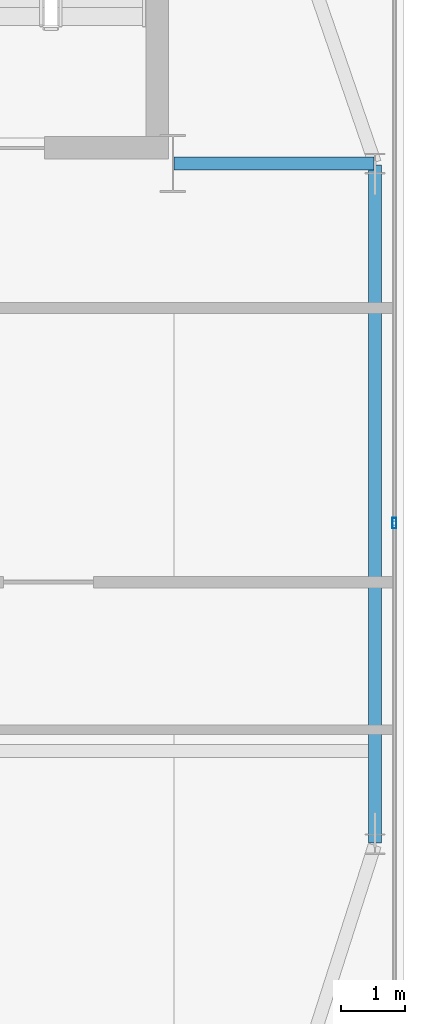
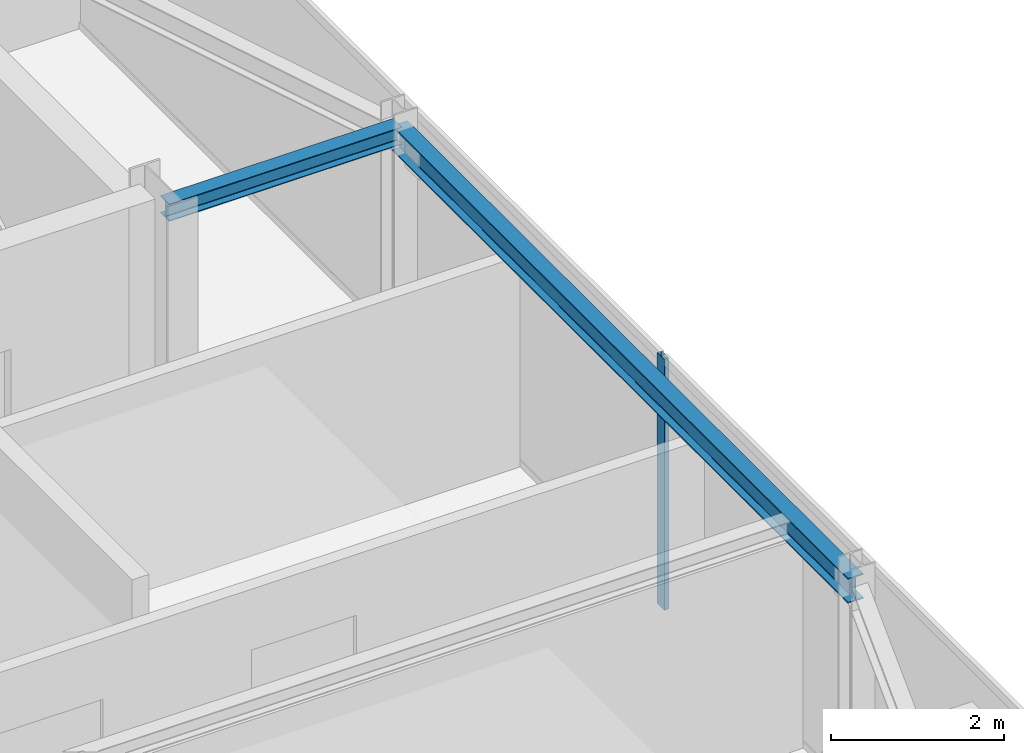
# One storey, part 16 of 24: 2 beams, 1 member, 1 element without a shape of its own.
"""IFC4 building model written with IfcOpenShell, lengths in metres."""

from ifc_helpers import new_model, si_unit, direction, frame, origin, origin_2d, place, context, subcontext, project, spatial, hollow_rectangle, i_section, extrude, source, transform, mapped, material, layer, layer_set, material_profile, profile_set, type_object, type_shapes, element, aggregate, save


model = new_model("IFC4")

# Units and contexts
model_context = context("Model", 3, precision=1e-05, world=origin(), true_north=direction((0.0, 1.0)))
body_context = subcontext(model_context, "Body", "Model", "MODEL_VIEW")
ifc_project = project(units=[si_unit("LENGTHUNIT", "METRE"), si_unit("AREAUNIT", "SQUARE_METRE"), si_unit("VOLUMEUNIT", "CUBIC_METRE"), si_unit("PLANEANGLEUNIT", "RADIAN"), si_unit("MASSUNIT", "GRAM", prefix="KILO")], contexts=[model_context])

# Site, building, storey
site_placement = place(None, origin())
site = spatial("IfcSite", under=ifc_project, at=site_placement, CompositionType="ELEMENT")
building_placement = place(site_placement, origin())
building = spatial("IfcBuilding", under=site, at=building_placement, Name="Varnel Quay Broadcast Tower", CompositionType="ELEMENT")
storey_placement = place(building_placement, frame((0.0, 0.0, 269.800048828125)))
storey = spatial("IfcBuildingStorey", under=building, at=storey_placement, Name="L67", CompositionType="ELEMENT", Elevation=269.800048828125)

# Beams
ifc_material_1 = material(Name="Structural Steel CSA G40.21 350W", Category="steel")
ifc_material_profile_1 = material_profile(ifc_material_1, i_section(OverallWidth=0.205078125, OverallDepth=0.35400390625, WebThickness=0.009521484375, FlangeThickness=0.016845703125, FilletRadius=0.012939453125, at=origin_2d()), Name="W360X79")
ifc_profile_set_1 = profile_set([ifc_material_profile_1], Name="Structural Steel CSA G40.21 350W")
beam_type_1 = type_object("IfcBeamType", Name="Beam_W360X79", PredefinedType="SPANDREL", material=ifc_profile_set_1)
shared_shape_1 = source(origin(), body_context, "Body", "SweptSolid", [
    extrude(i_section(OverallWidth=0.205078125, OverallDepth=0.35400390625, WebThickness=0.009521484375, FlangeThickness=0.016845703125, FilletRadius=0.012939453125, at=origin_2d()), origin(), (0.0, 0.0, 1.0), 10.56005859375),
])
type_shapes(beam_type_1, [shared_shape_1])
beam_1_placement = place(storey_placement, frame((55.550048828125, 25.02001953125, 3.373046875), z_axis=(0.0, 1.0, 0.0), x_axis=(-1.0, 0.0, 0.0)))
element("IfcBeam", 1, at=beam_1_placement, inside=storey, type_object=beam_type_1, Name="L67 East Spandrel TC-E1-TC-E2", PredefinedType="SPANDREL", context=body_context, shape_type="MappedRepresentation", body=[
    mapped(shared_shape_1, transform((0.0, 0.0, 0.0), x_axis=(1.0, 0.0, 0.0), y_axis=(0.0, 1.0, 0.0), z_axis=(0.0, 0.0, 1.0), scale=1.0)),
])
ifc_material_profile_2 = material_profile(ifc_material_1, i_section(OverallWidth=0.201904296875, OverallDepth=0.2470703125, WebThickness=0.00732421875, FlangeThickness=0.010986328125, FilletRadius=0.010986328125, at=origin_2d()), Name="W250X49")
ifc_profile_set_2 = profile_set([ifc_material_profile_2], Name="Structural Steel CSA G40.21 350W")
beam_type_2 = type_object("IfcBeamType", Name="Beam_W250X49", PredefinedType="JOIST", material=ifc_profile_set_2)
shared_shape_2 = source(origin(), body_context, "Body", "SweptSolid", [
    extrude(i_section(OverallWidth=0.201904296875, OverallDepth=0.2470703125, WebThickness=0.00732421875, FlangeThickness=0.010986328125, FilletRadius=0.010986328125, at=origin_2d()), origin(), (0.0, 0.0, 1.0), 3.110107421875),
])
type_shapes(beam_type_2, [shared_shape_2])
beam_2_placement = place(storey_placement, frame((52.419921875, 35.60009765625, 3.426513671875), z_axis=(1.0, 0.0, 0.0), x_axis=(0.0, 1.0, 0.0)))
element("IfcBeam", 2, at=beam_2_placement, inside=storey, type_object=beam_type_2, Name="L67 East Core Tie Joist", PredefinedType="JOIST", context=body_context, shape_type="MappedRepresentation", body=[
    mapped(shared_shape_2, transform((0.0, 0.0, 0.0), x_axis=(1.0, 0.0, 0.0), y_axis=(0.0, 1.0, 0.0), z_axis=(0.0, 0.0, 1.0), scale=1.0)),
])

# Curtain wall, member
ifc_material_2 = material(Name="Anodised Bronze Aluminium 6063-T6", Category="aluminium")
ifc_layer = layer(ifc_material_2, 0.18994140625, Name="Anodised Bronze Aluminium 6063-T6")
ifc_layer_set = layer_set([ifc_layer], Name="Anodised Bronze Aluminium 6063-T6")
curtain_wall_type = type_object("IfcCurtainWallType", Name="CW_UpperTower", PredefinedType="NOTDEFINED", material=ifc_layer_set)
curtain_wall_placement = place(storey_placement, origin())
curtain_wall = element("IfcCurtainWall", 3, at=curtain_wall_placement, inside=storey, type_object=curtain_wall_type, Name="L67 East Unitised Curtain Wall", PredefinedType="NOTDEFINED")
ifc_material_profile_3 = material_profile(ifc_material_2, hollow_rectangle(XDim=0.06494140625, YDim=0.1650390625, WallThickness=0.00341796875, at=origin_2d()), Name="ALU65X165X3.5")
ifc_profile_set_3 = profile_set([ifc_material_profile_3], Name="Anodised Bronze Aluminium 6063-T6")
member_type = type_object("IfcMemberType", Name="Mull_CWS-03", PredefinedType="MULLION", material=ifc_profile_set_3)
shared_shape_3 = source(origin(), body_context, "Body", "SweptSolid", [
    extrude(hollow_rectangle(XDim=0.06494140625, YDim=0.1650390625, WallThickness=0.00341796875, at=origin_2d()), origin(), (0.0, 0.0, 1.0), 3.550048828125),
])
type_shapes(member_type, [shared_shape_3])
member_placement = place(storey_placement, frame((55.85009765625, 30.0, 0.0), z_axis=(0.0, 0.0, 1.0), x_axis=(-1.0, 0.0, 0.0)))
member = element("IfcMember", 4, at=member_placement, type_object=member_type, Name="CWS-03 mullion 2", PredefinedType="MULLION", context=body_context, shape_type="MappedRepresentation", body=[
    mapped(shared_shape_3, transform((0.0, 0.0, 0.0), x_axis=(1.0, 0.0, 0.0), y_axis=(0.0, 1.0, 0.0), z_axis=(0.0, 0.0, 1.0), scale=1.0)),
])
aggregate(curtain_wall, [member])

save(model, "model.ifc")
